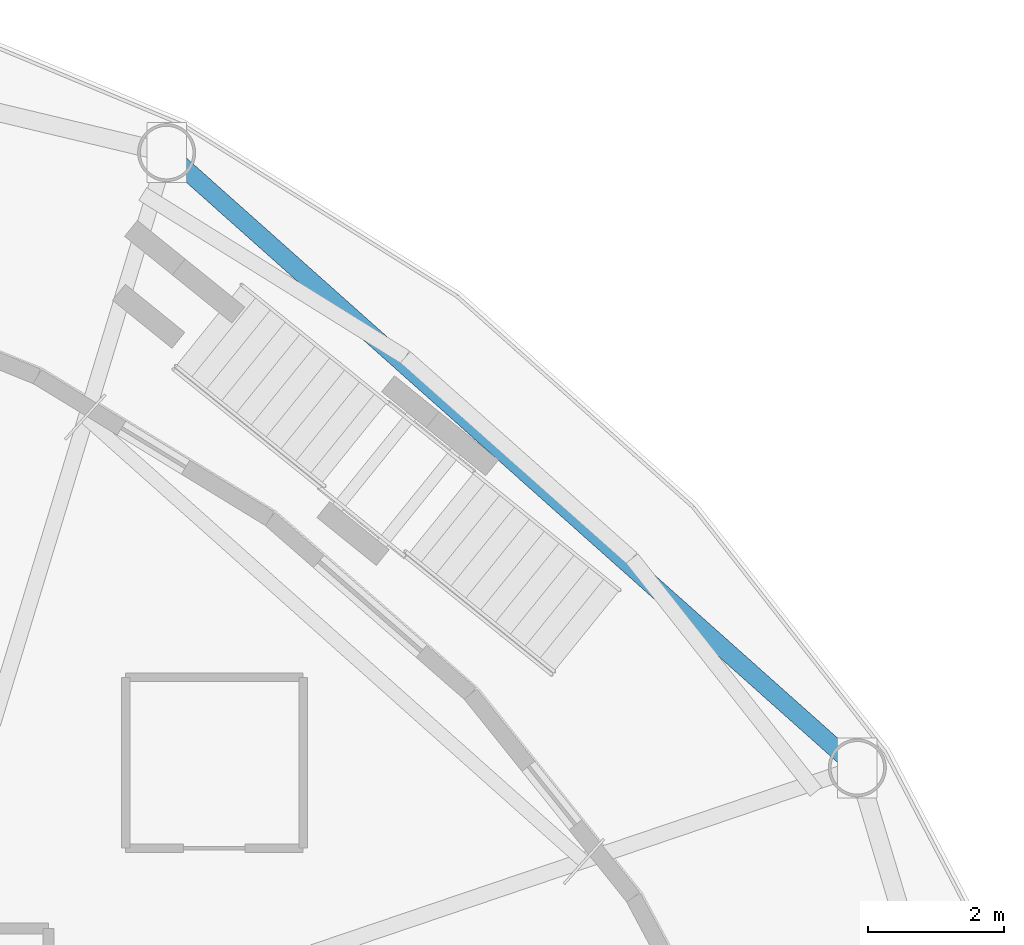
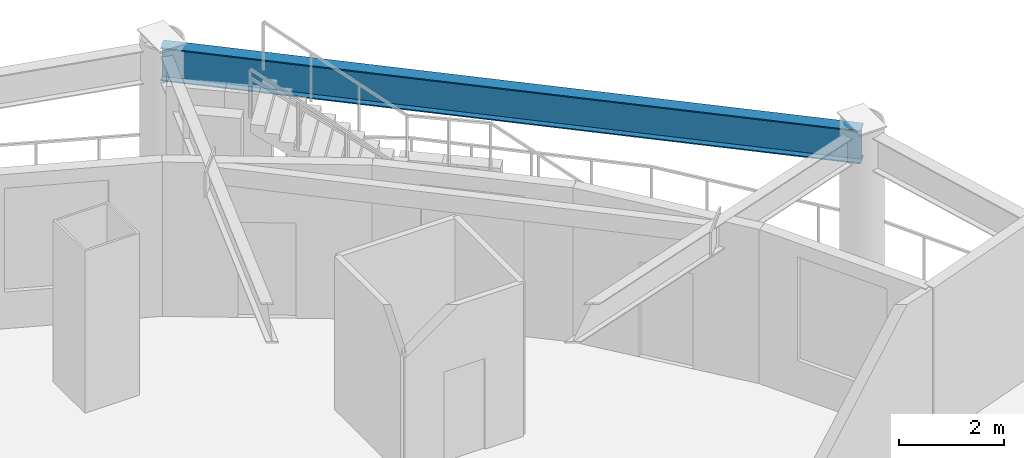
# One storey, part 20 of 33: 1 beam.
"""IFC4 building model written with IfcOpenShell, lengths in metres."""

from ifc_helpers import new_model, si_unit, direction, frame, origin, origin_2d, place, context, subcontext, project, spatial, i_section, extrude, material, material_profile, profile_set, type_object, element, save


model = new_model("IFC4")

# Units and contexts
model_context = context("Model", 3, precision=1e-05, world=origin(), true_north=direction((0.0, 1.0)))
body_context = subcontext(model_context, "Body", "Model", "MODEL_VIEW")
ifc_project = project(units=[si_unit("LENGTHUNIT", "METRE"), si_unit("AREAUNIT", "SQUARE_METRE"), si_unit("VOLUMEUNIT", "CUBIC_METRE"), si_unit("PLANEANGLEUNIT", "RADIAN"), si_unit("MASSUNIT", "GRAM", prefix="KILO")], contexts=[model_context])

# Site, building, storey
site_placement = place(None, origin())
site = spatial("IfcSite", under=ifc_project, at=site_placement, CompositionType="ELEMENT")
building_placement = place(site_placement, origin())
building = spatial("IfcBuilding", under=site, at=building_placement, Name="Vantalir Tower", CompositionType="ELEMENT")
storey_placement = place(building_placement, frame((0.0, 0.0, 68.25)))
storey = spatial("IfcBuildingStorey", under=building, at=storey_placement, Name="L16", CompositionType="ELEMENT", Elevation=68.25)

# Beam
ifc_material = material(Name="Steel S460", Category="steel")
ifc_material_profile = material_profile(ifc_material, i_section(OverallWidth=0.26806640625, OverallDepth=0.77001953125, WebThickness=0.015625, FlangeThickness=0.025390625, at=origin_2d()), Name="Steel S460")
ifc_profile_set = profile_set([ifc_material_profile], Name="Steel S460")
beam_type = type_object("IfcBeamType", Name="BM-RG-762x267", PredefinedType="USERDEFINED", material=ifc_profile_set)
beam_placement = place(storey_placement, frame((55.446044921875, 37.31396484375, 3.18505859375), z_axis=(-0.746727182206, 0.665130449878, 0.0), x_axis=(-0.665130449878, -0.746727182206, 0.0)))
element("IfcBeam", 1, at=beam_placement, inside=storey, type_object=beam_type, Name="L16 Circumferential Ring Girder 02", ObjectType="GIRDER", PredefinedType="USERDEFINED", context=body_context, shape_type="SweptSolid", body=[
    extrude(i_section(OverallWidth=0.26806640625, OverallDepth=0.77001953125, WebThickness=0.015625, FlangeThickness=0.025390625, at=origin_2d()), origin(), (0.0, 0.0, 1.0), 13.553955078125),
])

save(model, "model.ifc")
